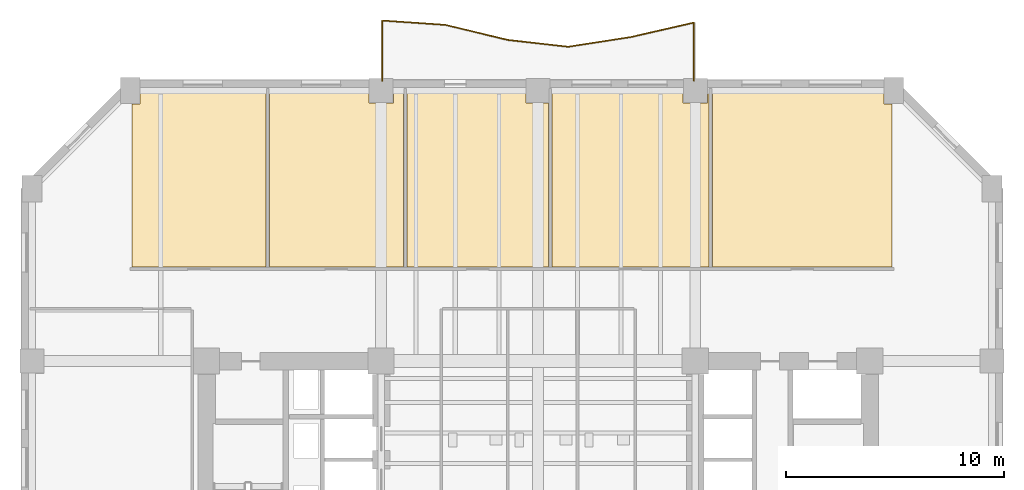
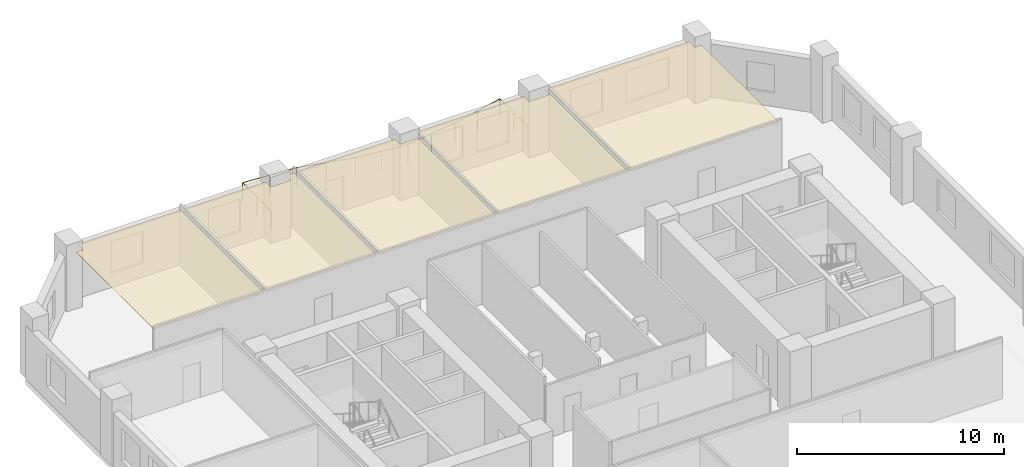
# One storey, part 8 of 9: 5 coverings, 1 railing.
"""IFC4 building model written with IfcOpenShell, lengths in metres."""

from ifc_helpers import new_model, si_unit, direction, frame, origin, origin_2d, place, context, subcontext, project, spatial, polyline, circle, outline, extrude, material, layer, layer_set, type_object, element, save


model = new_model("IFC4")

# Units and contexts
model_context = context("Model", 3, precision=1e-05, world=origin(), true_north=direction((0.0, 1.0)))
body_context = subcontext(model_context, "Body", "Model", "MODEL_VIEW")
ifc_project = project(units=[si_unit("LENGTHUNIT", "METRE"), si_unit("AREAUNIT", "SQUARE_METRE"), si_unit("VOLUMEUNIT", "CUBIC_METRE"), si_unit("PLANEANGLEUNIT", "RADIAN"), si_unit("MASSUNIT", "GRAM", prefix="KILO")], contexts=[model_context])

# Site, building, storey
site_placement = place(None, origin())
site = spatial("IfcSite", under=ifc_project, at=site_placement, CompositionType="ELEMENT")
building_placement = place(site_placement, origin())
building = spatial("IfcBuilding", under=site, at=building_placement, Name="Kranthara Brick Stack", CompositionType="ELEMENT")
storey_placement = place(building_placement, frame((0.0, 0.0, 28.199951171875)))
storey = spatial("IfcBuildingStorey", under=building, at=storey_placement, Name="L06", CompositionType="ELEMENT", Elevation=28.199951171875)

# Coverings
ifc_material_1 = material(Name="Perforated mineral-fibre acoustic ceiling tile", Category="other")
ifc_layer = layer(ifc_material_1, 0.02490234375)
ifc_layer_set = layer_set([ifc_layer], Name="Perforated mineral-fibre acoustic ceiling tile")
covering_type = type_object("IfcCoveringType", Name="COV-CEIL-ACOUSTIC", PredefinedType="CEILING", material=ifc_layer_set)
covering_1_placement = place(storey_placement, frame((0.0, 0.0, 3.330078125)))
element("IfcCovering", 1, at=covering_1_placement, inside=storey, type_object=covering_type, Name="L06 L06 Executive Cellular Office 1 Acoustic Ceiling", PredefinedType="CEILING", context=body_context, shape_type="SweptSolid", body=[
    extrude(outline(polyline([(15.52001953125, 45.929931640625), (15.52001953125, 37.919921875), (9.3798828125, 37.919921875), (9.3798828125, 45.389892578125), (9.760009765625, 45.389892578125), (9.760009765625, 45.929931640625), (15.52001953125, 45.929931640625)])), origin(), (0.0, 0.0, 1.0), 0.02490234375),
])
covering_2_placement = place(storey_placement, frame((0.0, 0.0, 3.330078125)))
element("IfcCovering", 2, at=covering_2_placement, inside=storey, type_object=covering_type, Name="L06 L06 Executive Cellular Office 2 Acoustic Ceiling", PredefinedType="CEILING", context=body_context, shape_type="SweptSolid", body=[
    extrude(outline(polyline([(21.820068359375, 45.929931640625), (21.820068359375, 37.919921875), (15.679931640625, 37.919921875), (15.679931640625, 45.929931640625), (20.239990234375, 45.929931640625), (20.239990234375, 45.43994140625), (21.360107421875, 45.43994140625), (21.360107421875, 45.929931640625), (21.820068359375, 45.929931640625)])), origin(), (0.0, 0.0, 1.0), 0.02490234375),
])
covering_3_placement = place(storey_placement, frame((0.0, 0.0, 3.330078125)))
element("IfcCovering", 3, at=covering_3_placement, inside=storey, type_object=covering_type, Name="L06 L06 Executive Cellular Office 3 Acoustic Ceiling", PredefinedType="CEILING", context=body_context, shape_type="SweptSolid", body=[
    extrude(outline(polyline([(28.469970703125, 37.919921875), (21.97998046875, 37.919921875), (21.97998046875, 45.929931640625), (27.43994140625, 45.929931640625), (27.43994140625, 45.43994140625), (28.469970703125, 45.43994140625), (28.469970703125, 37.919921875)])), origin(), (0.0, 0.0, 1.0), 0.02490234375),
])
covering_4_placement = place(storey_placement, frame((0.0, 0.0, 3.330078125)))
element("IfcCovering", 4, at=covering_4_placement, inside=storey, type_object=covering_type, Name="L06 L06 Meeting Room 4 Acoustic Ceiling", PredefinedType="CEILING", context=body_context, shape_type="SweptSolid", body=[
    extrude(outline(polyline([(35.820068359375, 45.929931640625), (35.820068359375, 37.919921875), (28.6298828125, 37.919921875), (28.6298828125, 45.929931640625), (34.639892578125, 45.929931640625), (34.639892578125, 45.43994140625), (35.760009765625, 45.43994140625), (35.760009765625, 45.929931640625), (35.820068359375, 45.929931640625)])), origin(), (0.0, 0.0, 1.0), 0.02490234375),
])
covering_5_placement = place(storey_placement, frame((0.0, 0.0, 3.330078125)))
element("IfcCovering", 5, at=covering_5_placement, inside=storey, type_object=covering_type, Name="L06 L06 Staff Pantry 5 Acoustic Ceiling", PredefinedType="CEILING", context=body_context, shape_type="SweptSolid", body=[
    extrude(outline(polyline([(44.219970703125, 37.919921875), (35.97998046875, 37.919921875), (35.97998046875, 45.929931640625), (43.840087890625, 45.929931640625), (43.840087890625, 45.389892578125), (44.219970703125, 45.389892578125), (44.219970703125, 37.919921875)])), origin(), (0.0, 0.0, 1.0), 0.02490234375),
])

# Railing
ifc_material_2 = material(Name="Bronze anodised aluminium and laminated glass balustrade", Category="aluminium")
railing_type = type_object("IfcRailingType", Name="RL-BALC-1120", PredefinedType="BALUSTRADE", material=ifc_material_2)
railing_placement = place(storey_placement, frame((20.860107421875, 46.43994140625, 0.0)))
element("IfcRailing", 6, at=railing_placement, inside=storey, type_object=railing_type, Name="L06 North Rippling Balcony Balustrade", PredefinedType="BALUSTRADE", context=body_context, shape_type="SweptSolid", body=[
    extrude(circle(Radius=0.02392578125, at=origin_2d()), frame((0.0, 0.0, 1.09619140625), z_axis=(-0.000264340461, 0.999999965062, 0.0), x_axis=(-0.999999965062, -0.000264340461, 0.0)), (0.0, 0.0, 1.0), 2.770751953125),
    extrude(circle(Radius=0.02392578125, at=origin_2d()), frame((-0.000732421875, 2.770751953125, 1.09619140625), z_axis=(0.997649908643, -0.068517587417, 0.0), x_axis=(0.068517587417, 0.997649908643, 0.0)), (0.0, 0.0, 1.0), 2.88623046875),
    extrude(circle(Radius=0.02392578125, at=origin_2d()), frame((2.878662109375, 2.572998046875, 1.09619140625), z_axis=(0.972270495095, -0.23385911222, 0.0), x_axis=(0.23385911222, 0.972270495095, 0.0)), (0.0, 0.0, 1.0), 2.962890625),
    extrude(circle(Radius=0.02392578125, at=origin_2d()), frame((5.75927734375, 1.880126953125, 1.09619140625), z_axis=(0.9937533836, -0.111598443467, 0.0), x_axis=(0.111598443467, 0.9937533836, 0.0)), (0.0, 0.0, 1.0), 2.7783203125),
    extrude(circle(Radius=0.02392578125, at=origin_2d()), frame((8.520263671875, 1.570068359375, 1.09619140625), z_axis=(0.988153760803, 0.153467081196, 0.0), x_axis=(-0.153467081196, 0.988153760803, 0.0)), (0.0, 0.0, 1.0), 2.914306640625),
    extrude(circle(Radius=0.02392578125, at=origin_2d()), frame((11.400146484375, 2.017333984375, 1.09619140625), z_axis=(0.974794875176, 0.223103006101, 0.0), x_axis=(-0.223103006101, 0.974794875176, 0.0)), (0.0, 0.0, 1.0), 2.95458984375),
    extrude(circle(Radius=0.02392578125, at=origin_2d()), frame((14.2802734375, 2.676513671875, 1.09619140625), z_axis=(-0.000182431813, -0.999999983359, 0.0), x_axis=(0.999999983359, -0.000182431813, 0.0)), (0.0, 0.0, 1.0), 2.676513671875),
    extrude(circle(Radius=0.02099609375, at=origin_2d()), origin(), (0.0, 0.0, 1.0), 1.072021484375),
    extrude(circle(Radius=0.02099609375, at=origin_2d()), frame((-0.00048828125, 1.38525390625, 0.0)), (0.0, 0.0, 1.0), 1.072021484375),
    extrude(circle(Radius=0.02099609375, at=origin_2d()), frame((-0.000732421875, 2.770751953125, 0.0)), (0.0, 0.0, 1.0), 1.072021484375),
    extrude(circle(Radius=0.02099609375, at=origin_2d()), frame((1.43896484375, 2.671875, 0.0)), (0.0, 0.0, 1.0), 1.072021484375),
    extrude(circle(Radius=0.02099609375, at=origin_2d()), frame((2.878662109375, 2.572998046875, 0.0)), (0.0, 0.0, 1.0), 1.072021484375),
    extrude(circle(Radius=0.02099609375, at=origin_2d()), frame((4.31884765625, 2.2265625, 0.0)), (0.0, 0.0, 1.0), 1.072021484375),
    extrude(circle(Radius=0.02099609375, at=origin_2d()), frame((5.75927734375, 1.880126953125, 0.0)), (0.0, 0.0, 1.0), 1.072021484375),
    extrude(circle(Radius=0.02099609375, at=origin_2d()), frame((7.1396484375, 1.72509765625, 0.0)), (0.0, 0.0, 1.0), 1.072021484375),
    extrude(circle(Radius=0.02099609375, at=origin_2d()), frame((8.520263671875, 1.570068359375, 0.0)), (0.0, 0.0, 1.0), 1.072021484375),
    extrude(circle(Radius=0.02099609375, at=origin_2d()), frame((9.960205078125, 1.793701171875, 0.0)), (0.0, 0.0, 1.0), 1.072021484375),
    extrude(circle(Radius=0.02099609375, at=origin_2d()), frame((11.400146484375, 2.017333984375, 0.0)), (0.0, 0.0, 1.0), 1.072021484375),
    extrude(circle(Radius=0.02099609375, at=origin_2d()), frame((12.84033203125, 2.346923828125, 0.0)), (0.0, 0.0, 1.0), 1.072021484375),
    extrude(circle(Radius=0.02099609375, at=origin_2d()), frame((14.2802734375, 2.676513671875, 0.0)), (0.0, 0.0, 1.0), 1.072021484375),
    extrude(circle(Radius=0.02099609375, at=origin_2d()), frame((14.280029296875, 1.33837890625, 0.0)), (0.0, 0.0, 1.0), 1.072021484375),
    extrude(circle(Radius=0.02099609375, at=origin_2d()), frame((14.27978515625, 0.0, 0.0)), (0.0, 0.0, 1.0), 1.072021484375),
])

save(model, "model.ifc")
